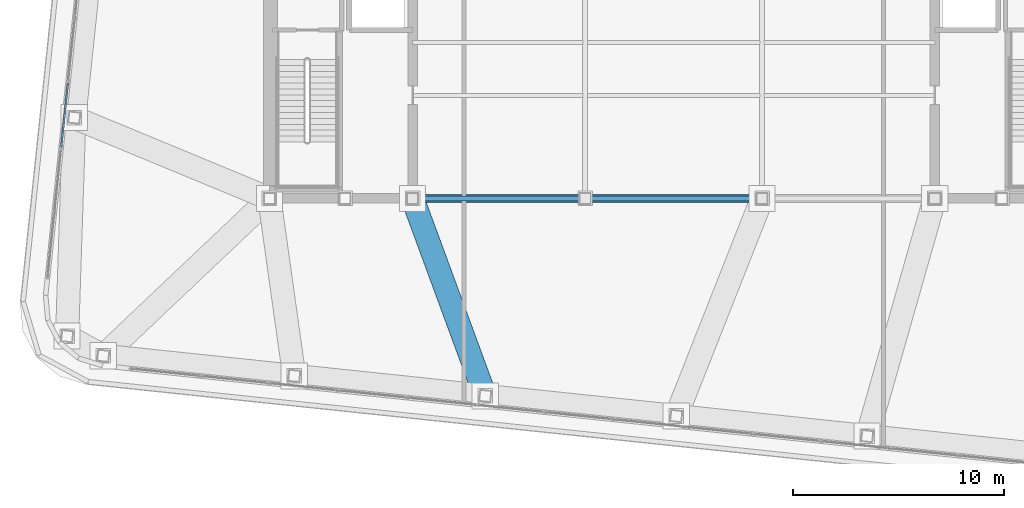
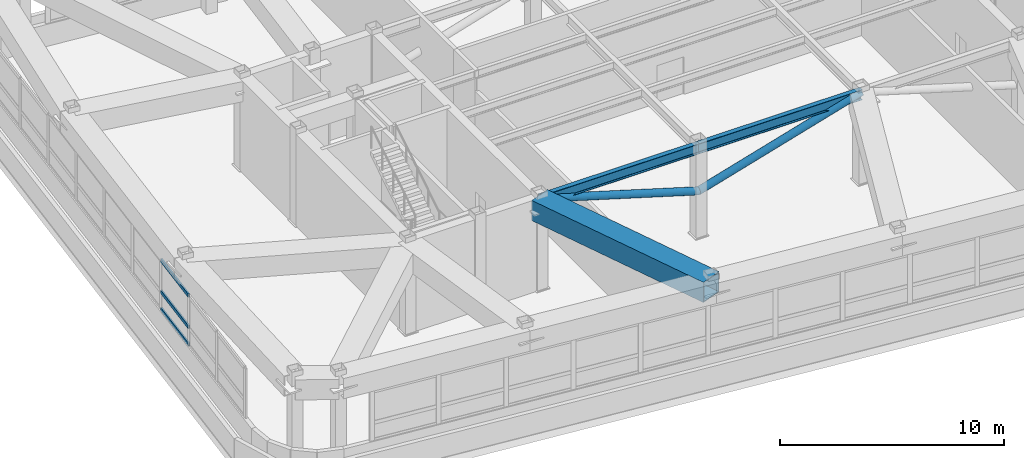
# One storey, part 4 of 22: 5 members, 3 beams, 1 element without a shape of its own.
"""IFC4 building model written with IfcOpenShell, lengths in metres."""

from ifc_helpers import new_model, si_unit, direction, frame, origin, origin_2d, place, context, subcontext, project, spatial, hollow_rectangle, hollow_circle, i_section, extrude, material, layer, layer_set, material_profile, profile_set, type_object, element, aggregate, save


model = new_model("IFC4")

# Units and contexts
model_context = context("Model", 3, precision=1e-05, world=origin(), true_north=direction((0.0, 1.0)))
body_context = subcontext(model_context, "Body", "Model", "MODEL_VIEW")
ifc_project = project(units=[si_unit("LENGTHUNIT", "METRE"), si_unit("AREAUNIT", "SQUARE_METRE"), si_unit("VOLUMEUNIT", "CUBIC_METRE"), si_unit("PLANEANGLEUNIT", "RADIAN"), si_unit("MASSUNIT", "GRAM", prefix="KILO")], contexts=[model_context])

# Site, building, storey
site_placement = place(None, origin())
site = spatial("IfcSite", under=ifc_project, at=site_placement, CompositionType="ELEMENT")
building_placement = place(site_placement, origin())
building = spatial("IfcBuilding", under=site, at=building_placement, Name="Voryun Gate Residences", CompositionType="ELEMENT")
storey_placement = place(building_placement, frame((0.0, 0.0, 310.699951171875)))
storey = spatial("IfcBuildingStorey", under=building, at=storey_placement, Name="L77", CompositionType="ELEMENT", Elevation=310.699951171875)

# Beams
ifc_material_1 = material(Name="Steel SM420", Category="steel")
ifc_material_profile_1 = material_profile(ifc_material_1, hollow_rectangle(XDim=1.10009765625, YDim=1.10009765625, WallThickness=0.035888671875, at=origin_2d()), Name="BOX-1100x1100x36")
ifc_profile_set_1 = profile_set([ifc_material_profile_1], Name="Steel SM420")
beam_type_1 = type_object("IfcBeamType", Name="BM_ARCH_RIB", PredefinedType="USERDEFINED", material=ifc_profile_set_1)
beam_1_placement = place(storey_placement, frame((-12.39990234375, -7.39990234375, 4.47509765625), z_axis=(0.345371356654, -0.938466102746, 0.0), x_axis=(0.938466102746, 0.345371356654, 0.0)))
element("IfcBeam", 1, at=beam_1_placement, inside=storey, type_object=beam_type_1, Name="BM-L77-RAD-S3", ObjectType="GIRDER", PredefinedType="USERDEFINED", context=body_context, shape_type="SweptSolid", body=[
    extrude(hollow_rectangle(XDim=1.10009765625, YDim=1.10009765625, WallThickness=0.035888671875, at=origin_2d()), origin(), (0.0, 0.0, 1.0), 9.993408203125),
])
ifc_material_2 = material(Name="Steel SM355", Category="steel")
ifc_material_profile_2 = material_profile(ifc_material_2, i_section(OverallWidth=0.239990234375, OverallDepth=0.550048828125, WebThickness=0.011962890625, FlangeThickness=0.02001953125, FilletRadius=0.01806640625, at=origin_2d()), Name="H-550x240x12x20")
ifc_profile_set_2 = profile_set([ifc_material_profile_2], Name="Steel SM355")
beam_type_2 = type_object("IfcBeamType", Name="BM_GIRD_550", PredefinedType="USERDEFINED", material=ifc_profile_set_2)
beam_2_placement = place(storey_placement, frame((-12.39990234375, -7.39990234375, 4.75), z_axis=(1.0, 0.0, 0.0), x_axis=(0.0, 1.0, 0.0)))
element("IfcBeam", 2, at=beam_2_placement, inside=storey, type_object=beam_type_2, Name="BM-L77-SPG1-S", ObjectType="GIRDER", PredefinedType="USERDEFINED", context=body_context, shape_type="SweptSolid", body=[
    extrude(i_section(OverallWidth=0.239990234375, OverallDepth=0.550048828125, WebThickness=0.011962890625, FlangeThickness=0.02001953125, FilletRadius=0.01806640625, at=origin_2d()), origin(), (0.0, 0.0, 1.0), 8.199951171875),
])
beam_3_placement = place(storey_placement, frame((-4.199951171875, -7.39990234375, 4.75), z_axis=(1.0, 0.0, 0.0), x_axis=(0.0, 1.0, 0.0)))
element("IfcBeam", 3, at=beam_3_placement, inside=storey, type_object=beam_type_2, Name="BM-L77-SPG2-S", ObjectType="GIRDER", PredefinedType="USERDEFINED", context=body_context, shape_type="SweptSolid", body=[
    extrude(i_section(OverallWidth=0.239990234375, OverallDepth=0.550048828125, WebThickness=0.011962890625, FlangeThickness=0.02001953125, FilletRadius=0.01806640625, at=origin_2d()), origin(), (0.0, 0.0, 1.0), 8.39990234375),
])

# Curtain wall, members
ifc_material_3 = material(Name="Anodised aluminium", Category="aluminium")
ifc_layer = layer(ifc_material_3, 0.22998046875, Name="CW_SYS_LANTERN_DARK_GLASS")
ifc_layer_set = layer_set([ifc_layer], Name="Anodised aluminium")
curtain_wall_type = type_object("IfcCurtainWallType", Name="CW_SYS_LANTERN_DARK_GLASS", PredefinedType="NOTDEFINED", material=ifc_layer_set)
curtain_wall_placement = place(storey_placement, origin())
curtain_wall = element("IfcCurtainWall", 4, at=curtain_wall_placement, inside=storey, type_object=curtain_wall_type, Name="Curtain wall CW6-L77-06", PredefinedType="NOTDEFINED")
ifc_material_4 = material(Name="Anodised aluminium", Category="aluminium")
ifc_material_profile_3 = material_profile(ifc_material_4, hollow_rectangle(XDim=0.0849609375, YDim=0.18994140625, WallThickness=0.006103515625, at=origin_2d()), Name="ALU-TRAN-190x85x6")
ifc_profile_set_3 = profile_set([ifc_material_profile_3], Name="Anodised aluminium")
member_type_1 = type_object("IfcMemberType", Name="CW_TRAN_LANT", PredefinedType="USERDEFINED", material=ifc_profile_set_3)
member_1_placement = place(storey_placement, frame((-29.082275390625, -4.948486328125, 1.219970703125), z_axis=(0.104500100479, 0.994524876009, 0.0), x_axis=(-0.994524876009, 0.104500100479, 0.0)))
member_1 = element("IfcMember", 5, at=member_1_placement, type_object=member_type_1, Name="CW6 transom 3.1", ObjectType="TRANSOM", PredefinedType="USERDEFINED", context=body_context, shape_type="SweptSolid", body=[
    extrude(hollow_rectangle(XDim=0.0849609375, YDim=0.18994140625, WallThickness=0.006103515625, at=origin_2d()), origin(), (0.0, 0.0, 1.0), 3.02783203125),
])
member_2_placement = place(storey_placement, frame((-29.082275390625, -4.948486328125, 2.171142578125), z_axis=(0.104500100479, 0.994524876009, 0.0), x_axis=(-0.994524876009, 0.104500100479, 0.0)))
member_2 = element("IfcMember", 6, at=member_2_placement, type_object=member_type_1, Name="CW6 transom 3.2", ObjectType="TRANSOM", PredefinedType="USERDEFINED", context=body_context, shape_type="SweptSolid", body=[
    extrude(hollow_rectangle(XDim=0.0849609375, YDim=0.18994140625, WallThickness=0.006103515625, at=origin_2d()), origin(), (0.0, 0.0, 1.0), 3.02783203125),
])
member_3_placement = place(storey_placement, frame((-29.082275390625, -4.948486328125, 3.885009765625), z_axis=(0.104500100479, 0.994524876009, 0.0), x_axis=(-0.994524876009, 0.104500100479, 0.0)))
member_3 = element("IfcMember", 7, at=member_3_placement, type_object=member_type_1, Name="CW6 transom 3.3", ObjectType="TRANSOM", PredefinedType="USERDEFINED", context=body_context, shape_type="SweptSolid", body=[
    extrude(hollow_rectangle(XDim=0.0849609375, YDim=0.18994140625, WallThickness=0.006103515625, at=origin_2d()), origin(), (0.0, 0.0, 1.0), 3.02783203125),
])
aggregate(curtain_wall, [member_1, member_2, member_3])

# Members
ifc_material_5 = material(Name="Steel SM355", Category="steel")
ifc_material_profile_4 = material_profile(ifc_material_5, hollow_circle(Radius=0.18994140625, WallThickness=0.01806640625, at=origin_2d()), Name="CHS-380x18")
ifc_profile_set_4 = profile_set([ifc_material_profile_4], Name="Steel SM355")
member_type_2 = type_object("IfcMemberType", Name="MBR_CROWN_DIAGRID", PredefinedType="BRACE", material=ifc_profile_set_4)
member_4_placement = place(storey_placement, frame((-4.199951171875, -7.39990234375, 2.380126953125), z_axis=(-0.957669975605, 0.0, 0.287868403659), x_axis=(0.0, -1.0, 0.0)))
element("IfcMember", 8, at=member_4_placement, inside=storey, type_object=member_type_2, Name="L77 Lantern Spine Diagrid Brace 01", PredefinedType="BRACE", context=body_context, shape_type="SweptSolid", body=[
    extrude(hollow_circle(Radius=0.18994140625, WallThickness=0.01806640625, at=origin_2d()), origin(), (0.0, 0.0, 1.0), 8.5625),
])
member_5_placement = place(storey_placement, frame((-4.199951171875, -7.39990234375, 2.380126953125), z_axis=(0.95954206085, 0.0, 0.281565327162), x_axis=(0.0, 1.0, 0.0)))
element("IfcMember", 9, at=member_5_placement, inside=storey, type_object=member_type_2, Name="L77 Lantern Spine Diagrid Brace 02", PredefinedType="BRACE", context=body_context, shape_type="SweptSolid", body=[
    extrude(hollow_circle(Radius=0.18994140625, WallThickness=0.01806640625, at=origin_2d()), origin(), (0.0, 0.0, 1.0), 8.754150390625),
])

save(model, "model.ifc")
